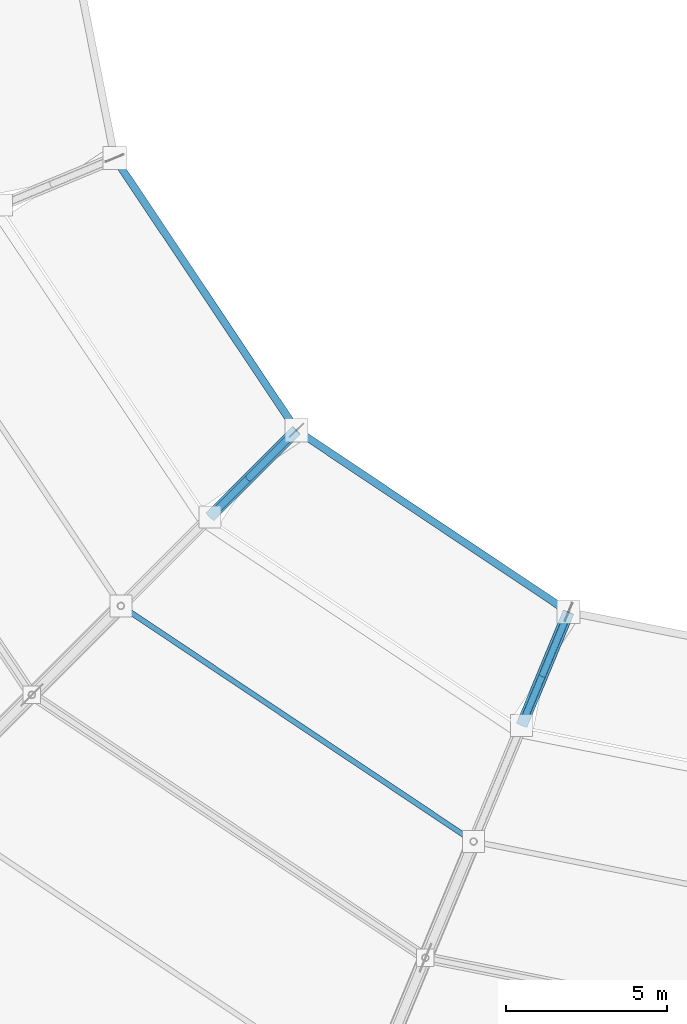
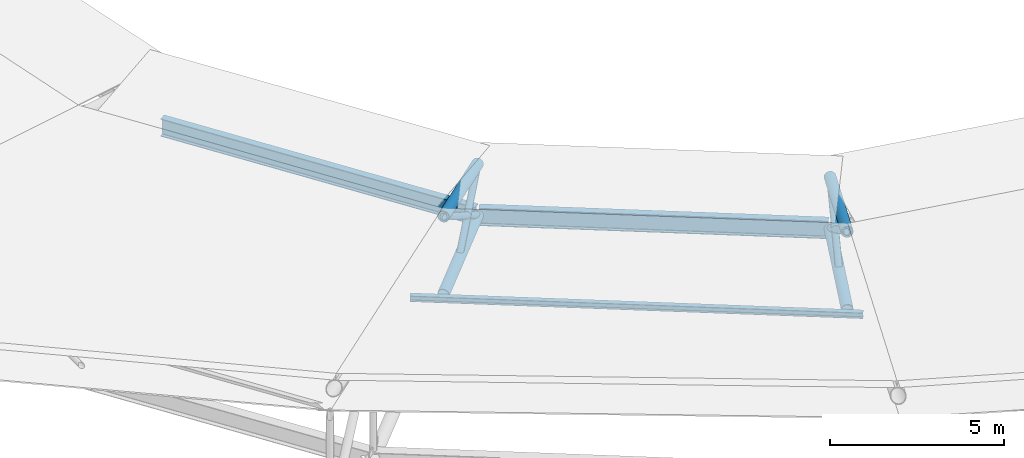
# One storey, part 26 of 146: 9 members, 2 beams.
"""IFC4 building model written with IfcOpenShell, lengths in metres."""

from ifc_helpers import new_model, si_unit, direction, frame, origin, origin_2d, place, context, subcontext, project, spatial, hollow_circle, i_section, extrude, material, material_profile, profile_set, type_object, element, save


model = new_model("IFC4")

# Units and contexts
model_context = context("Model", 3, precision=1e-05, world=origin(), true_north=direction((0.0, 1.0)))
body_context = subcontext(model_context, "Body", "Model", "MODEL_VIEW")
ifc_project = project(units=[si_unit("LENGTHUNIT", "METRE"), si_unit("AREAUNIT", "SQUARE_METRE"), si_unit("VOLUMEUNIT", "CUBIC_METRE"), si_unit("PLANEANGLEUNIT", "RADIAN"), si_unit("MASSUNIT", "GRAM", prefix="KILO")], contexts=[model_context])

# Site, building, storey
site_placement = place(None, origin())
site = spatial("IfcSite", under=ifc_project, at=site_placement, CompositionType="ELEMENT")
building_placement = place(site_placement, origin())
building = spatial("IfcBuilding", under=site, at=building_placement, Name="Candeia Ridge Stadium", CompositionType="ELEMENT")
storey_placement = place(building_placement, frame((0.0, 0.0, 31.800048828125)))
storey = spatial("IfcBuildingStorey", under=building, at=storey_placement, Name="RF", CompositionType="ELEMENT", Elevation=31.800048828125)

# Beams
ifc_material = material(Name="Steel ASTM A572 Grade 50", Category="steel")
ifc_material_profile_1 = material_profile(ifc_material, i_section(OverallWidth=0.22998046875, OverallDepth=0.616943359375, WebThickness=0.01318359375, FlangeThickness=0.022216796875, FilletRadius=0.014892578125, at=origin_2d()), Name="W610x140", Category="steel")
ifc_profile_set_1 = profile_set([ifc_material_profile_1], Name="Steel ASTM A572 Grade 50")
beam_type = type_object("IfcBeamType", Name="Roof Inner Tension Ring Beam W610x140", PredefinedType="BEAM", material=ifc_profile_set_1)
for number, where, z_axis, x_axis, name in (
    (1, (47.00146484375, 61.01708984375, -1.9599609375), (0.555556358418, -0.831478882847, 0.0), (0.831478882847, 0.555556358418, 0.0), "Roof inner tension ring beam bay 16"),
    (2, (52.6484375, 52.593017578125, -1.9599609375), (0.831478882847, -0.555556358418, 0.0), (0.555556358418, 0.831478882847, 0.0), "Roof inner tension ring beam bay 17"),
):
    element("IfcBeam", number, at=place(storey_placement, frame(where, z_axis=z_axis, x_axis=x_axis)), inside=storey, type_object=beam_type, Name=name, PredefinedType="BEAM", context=body_context, shape_type="SweptSolid", body=[
        extrude(i_section(OverallWidth=0.22998046875, OverallDepth=0.616943359375, WebThickness=0.01318359375, FlangeThickness=0.022216796875, FilletRadius=0.014892578125, at=origin_2d()), origin(), (0.0, 0.0, 1.0), 10.064697265625),
    ])

# Members
ifc_material_profile_2 = material_profile(ifc_material, i_section(OverallWidth=0.1650390625, OverallDepth=0.200927734375, WebThickness=0.006103515625, FlangeThickness=0.01025390625, FilletRadius=0.010009765625, at=origin_2d()), Name="W200x35.9", Category="steel")
ifc_profile_set_2 = profile_set([ifc_material_profile_2], Name="Steel ASTM A572 Grade 50")
member_type_1 = type_object("IfcMemberType", Name="Roof Purlin W200x35.9", PredefinedType="PURLIN", material=ifc_profile_set_2)
member_1_placement = place(storey_placement, frame((47.212158203125, 47.142822265625, 0.3544921875), z_axis=(0.831465523002, -0.555576353042, 0.0), x_axis=(0.555576353042, 0.831465523002, 0.0)))
element("IfcMember", 3, at=member_1_placement, inside=storey, type_object=member_type_1, Name="Saddle roof steel purlin bay 17-1", PredefinedType="PURLIN", context=body_context, shape_type="SweptSolid", body=[
    extrude(i_section(OverallWidth=0.1650390625, OverallDepth=0.200927734375, WebThickness=0.006103515625, FlangeThickness=0.01025390625, FilletRadius=0.010009765625, at=origin_2d()), origin(), (0.0, 0.0, 1.0), 13.049072265625),
])
ifc_material_profile_3 = material_profile(ifc_material, hollow_circle(Radius=0.109619140625, WallThickness=0.010009765625, at=origin_2d()), Name="CHS219x10", Category="steel")
ifc_profile_set_3 = profile_set([ifc_material_profile_3], Name="Steel ASTM A572 Grade 50")
member_type_2 = type_object("IfcMemberType", Name="Roof Truss Inner Web Brace CHS219x10", PredefinedType="BRACE", material=ifc_profile_set_3)
member_2_placement = place(storey_placement, frame((52.615234375, 52.615234375, -1.9599609375), z_axis=(-0.590520351297, -0.590520351297, 0.550064931992), x_axis=(0.707106781187, -0.707106781187, 0.0)))
element("IfcMember", 4, at=member_2_placement, inside=storey, type_object=member_type_2, Name="Roof cantilever truss RT-17 diagonal web 1", PredefinedType="BRACE", context=body_context, shape_type="SweptSolid", body=[
    extrude(hollow_circle(Radius=0.109619140625, WallThickness=0.010009765625, at=origin_2d()), origin(), (0.0, 0.0, 1.0), 4.55029296875),
])
member_3_placement = place(storey_placement, frame((51.137451171875, 51.137451171875, -2.077880859375), z_axis=(0.521000505983, 0.521000505983, 0.676104241615), x_axis=(-0.707106781187, 0.707106781187, 0.0)))
element("IfcMember", 5, at=member_3_placement, inside=storey, type_object=member_type_2, Name="Roof cantilever truss RT-17 vertical post 0", PredefinedType="BRACE", context=body_context, shape_type="SweptSolid", body=[
    extrude(hollow_circle(Radius=0.109619140625, WallThickness=0.010009765625, at=origin_2d()), origin(), (0.0, 0.0, 1.0), 2.83642578125),
])
member_4_placement = place(storey_placement, frame((61.05029296875, 46.979248046875, -1.9599609375), z_axis=(-0.319616432528, -0.771543444646, 0.550060041343), x_axis=(0.923865699332, -0.382716826907, 0.0)))
element("IfcMember", 6, at=member_4_placement, inside=storey, type_object=member_type_2, Name="Roof cantilever truss RT-18 diagonal web 1", PredefinedType="BRACE", context=body_context, shape_type="SweptSolid", body=[
    extrude(hollow_circle(Radius=0.109619140625, WallThickness=0.010009765625, at=origin_2d()), origin(), (0.0, 0.0, 1.0), 4.55029296875),
])
member_5_placement = place(storey_placement, frame((60.25048828125, 45.048095703125, -2.077880859375), z_axis=(0.281951829017, 0.680781125618, 0.676047502115), x_axis=(-0.923897258763, 0.382640634603, 0.0)))
element("IfcMember", 7, at=member_5_placement, inside=storey, type_object=member_type_2, Name="Roof cantilever truss RT-18 vertical post 0", PredefinedType="BRACE", context=body_context, shape_type="SweptSolid", body=[
    extrude(hollow_circle(Radius=0.109619140625, WallThickness=0.010009765625, at=origin_2d()), origin(), (0.0, 0.0, 1.0), 2.836669921875),
])
ifc_material_profile_4 = material_profile(ifc_material, hollow_circle(Radius=0.177734375, WallThickness=0.01416015625, at=origin_2d()), Name="CHS355x14", Category="steel")
ifc_profile_set_4 = profile_set([ifc_material_profile_4], Name="Steel ASTM A572 Grade 50")
member_type_3 = type_object("IfcMemberType", Name="Roof Truss Tip Chord CHS355x14", PredefinedType="CHORD", material=ifc_profile_set_4)
member_6_placement = place(storey_placement, frame((52.615234375, 52.615234375, -0.16015625), z_axis=(-0.69530437574, -0.69530437574, 0.181944085238), x_axis=(0.707106781187, -0.707106781187, 0.0)))
element("IfcMember", 8, at=member_6_placement, inside=storey, type_object=member_type_3, Name="Roof cantilever truss RT-17 top chord 1", PredefinedType="CHORD", context=body_context, shape_type="SweptSolid", body=[
    extrude(hollow_circle(Radius=0.177734375, WallThickness=0.01416015625, at=origin_2d()), origin(), (0.0, 0.0, 1.0), 3.864501953125),
])
member_7_placement = place(storey_placement, frame((52.615234375, 52.615234375, -1.9599609375), z_axis=(-0.70598445243, -0.70598445243, -0.056319675562), x_axis=(0.707106781187, -0.707106781187, 0.0)))
element("IfcMember", 9, at=member_7_placement, inside=storey, type_object=member_type_3, Name="Roof cantilever truss RT-17 bottom chord 1", PredefinedType="CHORD", context=body_context, shape_type="SweptSolid", body=[
    extrude(hollow_circle(Radius=0.177734375, WallThickness=0.01416015625, at=origin_2d()), origin(), (0.0, 0.0, 1.0), 3.80615234375),
])
member_8_placement = place(storey_placement, frame((61.05029296875, 46.979248046875, -0.16015625), z_axis=(-0.376329012529, -0.908445727744, 0.181941842552), x_axis=(0.923865699332, -0.382716826907, 0.0)))
element("IfcMember", 10, at=member_8_placement, inside=storey, type_object=member_type_3, Name="Roof cantilever truss RT-18 top chord 1", PredefinedType="CHORD", context=body_context, shape_type="SweptSolid", body=[
    extrude(hollow_circle(Radius=0.177734375, WallThickness=0.01416015625, at=origin_2d()), origin(), (0.0, 0.0, 1.0), 3.864501953125),
])
member_9_placement = place(storey_placement, frame((61.05029296875, 46.979248046875, -1.9599609375), z_axis=(-0.382109389407, -0.922399365398, -0.056318959862), x_axis=(0.923865699332, -0.382716826907, 0.0)))
element("IfcMember", 11, at=member_9_placement, inside=storey, type_object=member_type_3, Name="Roof cantilever truss RT-18 bottom chord 1", PredefinedType="CHORD", context=body_context, shape_type="SweptSolid", body=[
    extrude(hollow_circle(Radius=0.177734375, WallThickness=0.01416015625, at=origin_2d()), origin(), (0.0, 0.0, 1.0), 3.80615234375),
])

save(model, "model.ifc")
